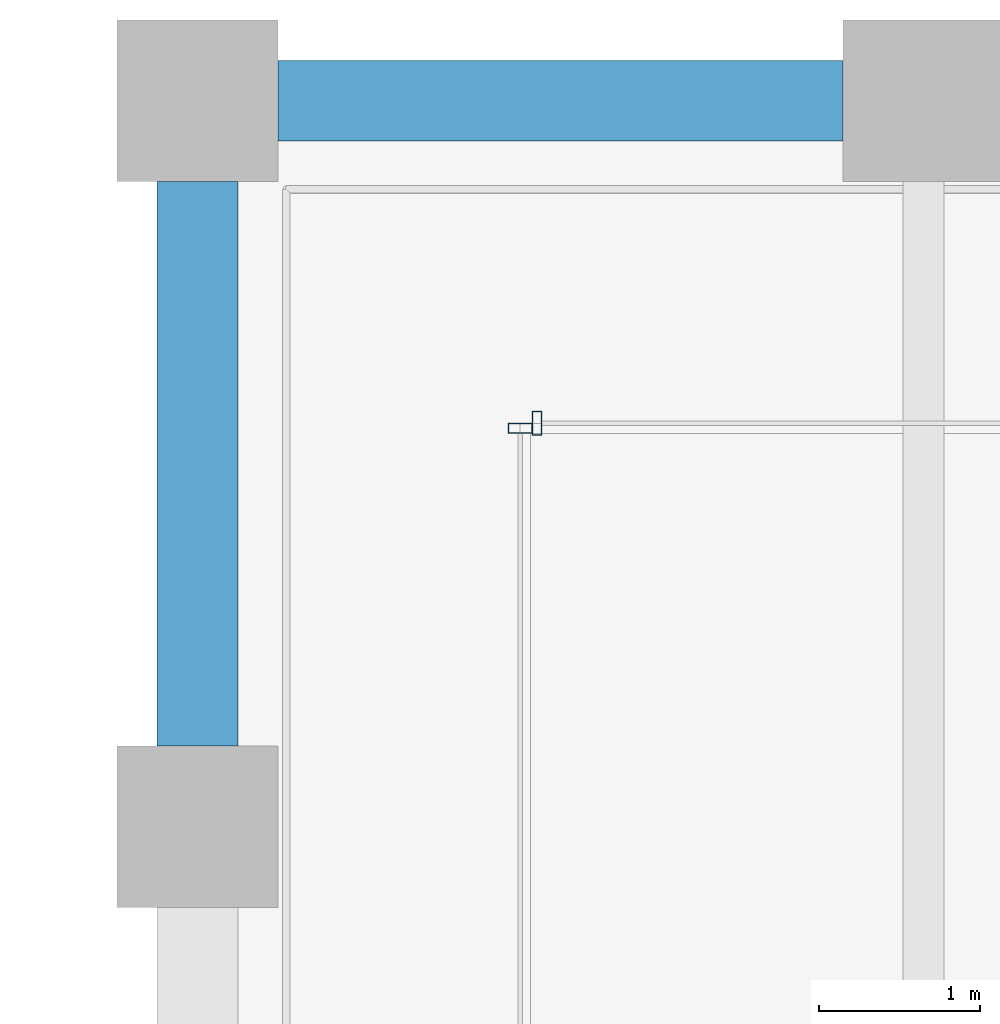
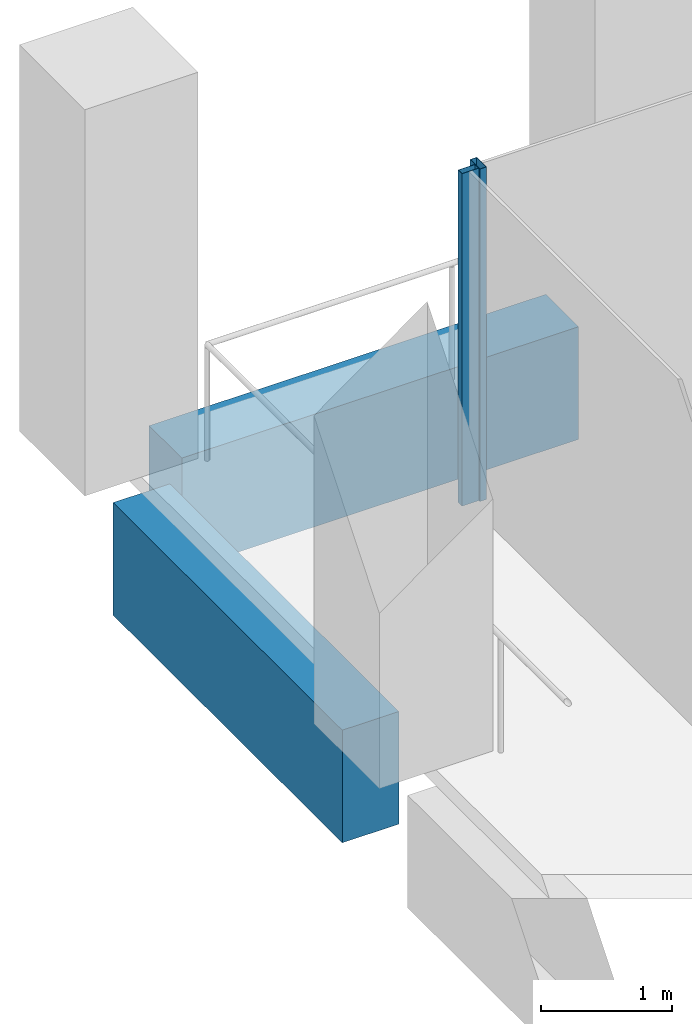
# One storey, part 21 of 46: 2 beams, 2 members, 2 elements without a shape of their own.
"""IFC4 building model written with IfcOpenShell, lengths in metres."""

from ifc_helpers import new_model, si_unit, direction, frame, origin, origin_2d, place, context, subcontext, project, spatial, rectangle, hollow_rectangle, extrude, material, material_profile, profile_set, type_object, element, aggregate, save


model = new_model("IFC4")

# Units and contexts
model_context = context("Model", 3, precision=1e-05, world=origin(), true_north=direction((0.0, 1.0)))
body_context = subcontext(model_context, "Body", "Model", "MODEL_VIEW")
ifc_project = project(units=[si_unit("LENGTHUNIT", "METRE"), si_unit("AREAUNIT", "SQUARE_METRE"), si_unit("VOLUMEUNIT", "CUBIC_METRE"), si_unit("PLANEANGLEUNIT", "RADIAN"), si_unit("MASSUNIT", "GRAM", prefix="KILO")], contexts=[model_context])

# Site, building, storey
site_placement = place(None, origin())
site = spatial("IfcSite", under=ifc_project, at=site_placement, CompositionType="ELEMENT")
building_placement = place(site_placement, origin())
building = spatial("IfcBuilding", under=site, at=building_placement, Name="Altepetl Exchange Towers", CompositionType="ELEMENT")
storey_placement = place(building_placement, frame((0.0, 0.0, 124.39990234375)))
storey = spatial("IfcBuildingStorey", under=building, at=storey_placement, Name="L30", CompositionType="ELEMENT", Elevation=124.39990234375)

# Curtain wall, member
ifc_material_1 = material(Name="Aluminium 6063-T6 glazing", Category="aluminium")
curtain_wall_type = type_object("IfcCurtainWallType", Name="Loggia glazing system", PredefinedType="NOTDEFINED", material=ifc_material_1)
curtain_wall_1_placement = place(storey_placement, origin())
curtain_wall_1 = element("IfcCurtainWall", 1, at=curtain_wall_1_placement, inside=storey, type_object=curtain_wall_type, Name="CW1 run", PredefinedType="NOTDEFINED")
ifc_material_2 = material(Name="Aluminium 6063-T6", Category="aluminium")
ifc_material_profile_1 = material_profile(ifc_material_2, hollow_rectangle(XDim=0.06005859375, YDim=0.14990234375, WallThickness=0.0029296875, at=origin_2d()), Name="Mullion 60x150 aluminium")
ifc_profile_set_1 = profile_set([ifc_material_profile_1], Name="Aluminium 6063-T6")
member_type = type_object("IfcMemberType", Name="Mullion 60x150 aluminium", PredefinedType="MULLION", material=ifc_profile_set_1)
member_1_placement = place(storey_placement, frame((42.60498046875, 70.0, 0.0), z_axis=(0.0, 0.0, 1.0), x_axis=(-1.0, 0.0, 0.0)))
member_1 = element("IfcMember", 2, at=member_1_placement, type_object=member_type, Name="MU1 mullion", PredefinedType="MULLION", context=body_context, shape_type="SweptSolid", body=[
    extrude(hollow_rectangle(XDim=0.06005859375, YDim=0.14990234375, WallThickness=0.0029296875, at=origin_2d()), origin(), (0.0, 0.0, 1.0), 3.10009765625),
])
aggregate(curtain_wall_1, [member_1])

curtain_wall_2_placement = place(storey_placement, origin())
curtain_wall_2 = element("IfcCurtainWall", 3, at=curtain_wall_2_placement, inside=storey, type_object=curtain_wall_type, Name="CW1 run", PredefinedType="NOTDEFINED")
member_2_placement = place(storey_placement, frame((42.5, 69.969970703125, 0.0), z_axis=(0.0, 0.0, 1.0), x_axis=(0.0, -1.0, 0.0)))
member_2 = element("IfcMember", 4, at=member_2_placement, type_object=member_type, Name="MU1 mullion", PredefinedType="MULLION", context=body_context, shape_type="SweptSolid", body=[
    extrude(hollow_rectangle(XDim=0.06005859375, YDim=0.14990234375, WallThickness=0.0029296875, at=origin_2d()), origin(), (0.0, 0.0, 1.0), 3.10009765625),
])
aggregate(curtain_wall_2, [member_2])

# Beams
ifc_material_3 = material(Name="Concrete C50/60 precast with cantera rosa facing", Category="concrete")
ifc_material_profile_2 = material_profile(ifc_material_3, rectangle(XDim=0.5, YDim=1.050048828125, at=origin_2d()), Name="500 x 1050")
ifc_profile_set_2 = profile_set([ifc_material_profile_2], Name="Concrete C50/60 precast with cantera rosa facing")
beam_type_1 = type_object("IfcBeamType", Name="Spandrel beam 500x1050 cantera rosa", PredefinedType="SPANDREL", material=ifc_profile_set_2)
beam_1_placement = place(storey_placement, frame((44.5, 72.0, -0.6748046875), z_axis=(-1.0, 0.0, 0.0), x_axis=(0.0, -1.0, 0.0)))
element("IfcBeam", 5, at=beam_1_placement, inside=storey, type_object=beam_type_1, Name="sp:A:L30:029", PredefinedType="SPANDREL", context=body_context, shape_type="SweptSolid", body=[
    extrude(rectangle(XDim=0.5, YDim=1.050048828125, at=origin_2d()), origin(), (0.0, 0.0, 1.0), 3.5),
])
ifc_material_4 = material(Name="Concrete C50/60 precast with tezontle facing", Category="concrete")
ifc_material_profile_3 = material_profile(ifc_material_4, rectangle(XDim=0.5, YDim=1.050048828125, at=origin_2d()), Name="500 x 1050")
ifc_profile_set_3 = profile_set([ifc_material_profile_3], Name="Concrete C50/60 precast with tezontle facing")
beam_type_2 = type_object("IfcBeamType", Name="Spandrel beam 500x1050 tezontle", PredefinedType="SPANDREL", material=ifc_profile_set_3)
beam_2_placement = place(storey_placement, frame((40.5, 71.5, -0.6748046875), z_axis=(0.0, -1.0, 0.0), x_axis=(1.0, 0.0, 0.0)))
element("IfcBeam", 6, at=beam_2_placement, inside=storey, type_object=beam_type_2, Name="sp:A:L30:030", PredefinedType="SPANDREL", context=body_context, shape_type="SweptSolid", body=[
    extrude(rectangle(XDim=0.5, YDim=1.050048828125, at=origin_2d()), origin(), (0.0, 0.0, 1.0), 3.5),
])

save(model, "model.ifc")
